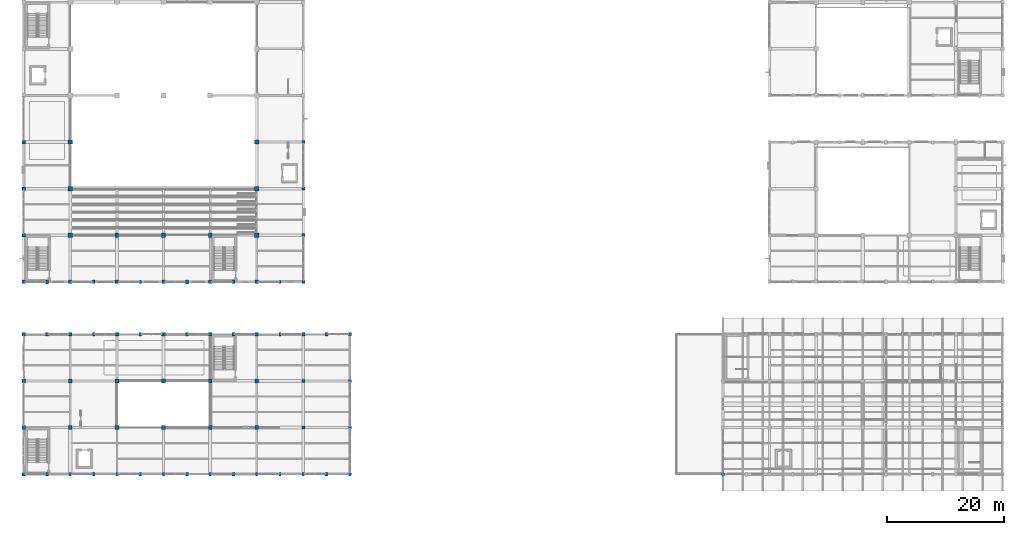
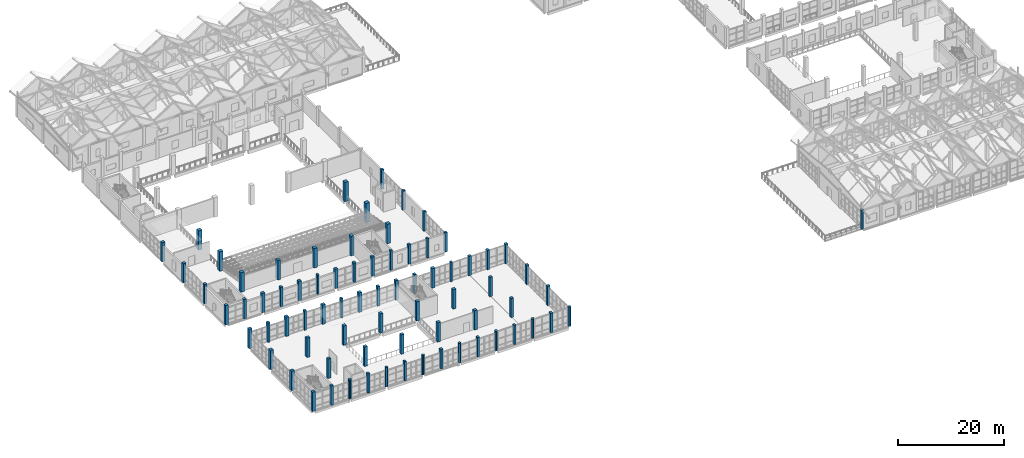
# One storey, part 1 of 183: 75 columns.
"""IFC4 building model written with IfcOpenShell, lengths in metres."""

import ifcopenshell
import ifcopenshell.guid

model = None  # the IFC model being written
_history = None  # IfcOwnerHistory: only IFC2X3 demands one
_inside = {}  # id of a spatial element -> (the spatial element, [elements in it])
_under = {}  # id of a project, library or spatial element -> (it, [spatial elements below it])
_declared = {}  # id of a project -> (the project, [libraries it declares])
_typed = {}  # id of a type object -> (the type object, [elements of that type])
_made_of = {}  # id of a material, layer set ... -> (it, [elements and type objects made of it])


def new_model(schema):
    """Start an empty IFC model of exactly this schema.

    Asked for "IFC4X3", IfcOpenShell would pick the latest addendum, in which some entities
    have other attributes; the version numbers below select the first issue.
    IFC2X3 requires an IfcOwnerHistory on every rooted entity: one is made here for all.
    """
    global model, _history
    if schema == "IFC4X3":
        model = ifcopenshell.file(schema_version=(4, 3, 0, 0))
    else:
        model = ifcopenshell.file(schema=schema)
    _inside.clear()
    _under.clear()
    _declared.clear()
    _typed.clear()
    _made_of.clear()
    _history = None
    if model.schema == "IFC2X3":
        org = make("IfcOrganization", Name="unknown")
        user = make(
            "IfcPersonAndOrganization",
            ThePerson=make("IfcPerson", FamilyName="unknown"),
            TheOrganization=org,
        )
        app = make(
            "IfcApplication",
            ApplicationDeveloper=org,
            Version="unknown",
            ApplicationFullName="unknown",
            ApplicationIdentifier="unknown",
        )
        _history = make(
            "IfcOwnerHistory",
            OwningUser=user,
            OwningApplication=app,
            ChangeAction="ADDED",
            CreationDate=0,
        )
    return model


def make(cls, **values):
    """One entity of the class cls with the attributes given. An attribute that is None is left unset."""
    return model.create_entity(
        cls, **{name: value for name, value in values.items() if value is not None}
    )


def rooted(cls, **values):
    """An entity with a GlobalId (a new one), such as an element, a storey or a relation."""
    return make(cls, GlobalId=ifcopenshell.guid.new(), OwnerHistory=_history, **values)


def si_unit(unit_type, name, prefix=None):
    """IfcSIUnit, for example si_unit("LENGTHUNIT", "METRE", prefix="MILLI")."""
    return make("IfcSIUnit", UnitType=unit_type, Prefix=prefix, Name=name)


def assignment(units):
    """IfcUnitAssignment: the units of a project."""
    return None if units is None else make("IfcUnitAssignment", Units=units)


def point(xyz):
    """IfcCartesianPoint."""
    return None if xyz is None else make("IfcCartesianPoint", Coordinates=xyz)


def direction(xyz):
    """IfcDirection."""
    return None if xyz is None else make("IfcDirection", DirectionRatios=xyz)


def frame(location, z_axis=None, x_axis=None):
    """IfcAxis2Placement3D, a coordinate frame: its origin and axes. An axis left out is left unset."""
    return make(
        "IfcAxis2Placement3D",
        Location=point(location),
        Axis=direction(z_axis),
        RefDirection=direction(x_axis),
    )


def frame_2d(location, x_axis=None):
    """IfcAxis2Placement2D, a coordinate frame in the plane: its origin and x axis."""
    return make(
        "IfcAxis2Placement2D", Location=point(location), RefDirection=direction(x_axis)
    )


def origin():
    """The frame at (0, 0, 0) with its axes left unset."""
    return frame((0.0, 0.0, 0.0))


def origin_2d():
    """The frame at (0, 0) in the plane with its x axis left unset."""
    return frame_2d((0.0, 0.0))


def place(relative_to, where):
    """IfcLocalPlacement: puts the frame where relative to a parent placement (None: the world)."""
    return make(
        "IfcLocalPlacement", PlacementRelTo=relative_to, RelativePlacement=where
    )


def context(
    kind, dimensions, precision=None, world=None, true_north=None, identifier=None
):
    """IfcGeometricRepresentationContext, for example the 3D "Model" context."""
    return make(
        "IfcGeometricRepresentationContext",
        ContextIdentifier=identifier,
        ContextType=kind,
        CoordinateSpaceDimension=dimensions,
        Precision=precision,
        WorldCoordinateSystem=world,
        TrueNorth=true_north,
    )


def subcontext(parent, identifier, kind, view, scale=None):
    """IfcGeometricRepresentationSubContext, for example "Body" below "Model"."""
    return make(
        "IfcGeometricRepresentationSubContext",
        ContextIdentifier=identifier,
        ContextType=kind,
        ParentContext=parent,
        TargetScale=scale,
        TargetView=view,
    )


def project(units=None, contexts=None):
    """IfcProject with its units and contexts."""
    return rooted(
        "IfcProject",
        Name="project",
        RepresentationContexts=contexts,
        UnitsInContext=assignment(units),
    )


def spatial(cls, under=None, at=None, **own):
    """A site, building, storey or space (cls), placed at a placement, below another one or the project."""
    s = rooted(cls, ObjectPlacement=at, **own)
    if under is not None:
        _under.setdefault(under.id(), (under, []))[1].append(s)
    return s


def profile(cls, at=None, kind="AREA", **sizes):
    """A parametric profile (cls). Its sizes go by their IFC names, for example OverallWidth=200.0."""
    return make(cls, ProfileType=kind, Position=at, **sizes)


def rectangle(**sizes):
    """IfcRectangleProfileDef."""
    return profile("IfcRectangleProfileDef", **sizes)


def circle(**sizes):
    """IfcCircleProfileDef."""
    return profile("IfcCircleProfileDef", **sizes)


def extrude(swept, where, along, depth):
    """IfcExtrudedAreaSolid: the profile swept, set in the frame where, extruded along a direction by depth."""
    return make(
        "IfcExtrudedAreaSolid",
        SweptArea=swept,
        Position=where,
        ExtrudedDirection=direction(along),
        Depth=depth,
    )


def shape(context_of_items, identifier, shape_type, items):
    """IfcShapeRepresentation: the items that make up one representation, for example the "Body"."""
    return make(
        "IfcShapeRepresentation",
        ContextOfItems=context_of_items,
        RepresentationIdentifier=identifier,
        RepresentationType=shape_type,
        Items=items,
    )


def material(Name=None, Category=None):
    """IfcMaterial."""
    return make("IfcMaterial", Name=Name, Category=Category)


def material_profile(
    of_material, cross_section, Name=None, Category=None, Priority=None
):
    """IfcMaterialProfile: a cross section and its material."""
    return make(
        "IfcMaterialProfile",
        Name=Name,
        Material=of_material,
        Profile=cross_section,
        Priority=Priority,
        Category=Category,
    )


def profile_set(profiles, Name=None, composite=None):
    """IfcMaterialProfileSet."""
    return make(
        "IfcMaterialProfileSet",
        Name=Name,
        MaterialProfiles=profiles,
        CompositeProfile=composite,
    )


def made_of(thing, what):
    """Note that an element or type object is made of a material, layer set ...; save() writes the relation."""
    if what is not None:
        _made_of.setdefault(what.id(), (what, []))[1].append(thing)
    return thing


def type_object(cls, material=None, **own):
    """A type object (cls), such as IfcWallType, which elements share."""
    return made_of(rooted(cls, **own), material)


def element(
    cls,
    number,
    at=None,
    inside=None,
    cuts=None,
    type_object=None,
    material=None,
    context=None,
    identifier="Body",
    shape_type=None,
    held_by="IfcProductDefinitionShape",
    body=None,
    shapes=None,
    **own,
):
    """One element of the class cls, such as IfcWall. Its Tag is "e" and its number.

    at: its placement. inside: the storey or other place that contains it. cuts: it is an
    opening in that element (IfcRelVoidsElement). A single representation is given by context,
    identifier, shape_type and body (its items); several are given by shapes. held_by: the class
    of the entity that holds the representations. save() writes the other relations.
    """
    e = rooted(cls, Tag="e%d" % number, ObjectPlacement=at, **own)
    if body is not None:
        shapes = [shape(context, identifier, shape_type, body)]
    if shapes is not None:
        e.Representation = make(held_by, Representations=shapes)
    if inside is not None:
        _inside.setdefault(inside.id(), (inside, []))[1].append(e)
    if cuts is not None:
        rooted(
            "IfcRelVoidsElement", RelatingBuildingElement=cuts, RelatedOpeningElement=e
        )
    if type_object is not None:
        _typed.setdefault(type_object.id(), (type_object, []))[1].append(e)
    return made_of(e, material)


def aggregate(whole, parts):
    """IfcRelAggregates: a whole, such as a stair, and the parts it consists of."""
    return rooted("IfcRelAggregates", RelatingObject=whole, RelatedObjects=parts)


def save(model, path):
    """Write the relations noted so far, then the file.

    IfcRelAggregates (storeys below a building ...), IfcRelContainedInSpatialStructure (elements
    in a storey), IfcRelDefinesByType, IfcRelAssociatesMaterial and IfcRelDeclares: one each for
    every whole, place, type object, material and project.
    """
    for whole, parts in _under.values():
        aggregate(whole, parts)
    for where, things in _inside.values():
        rooted(
            "IfcRelContainedInSpatialStructure",
            RelatedElements=things,
            RelatingStructure=where,
        )
    for kind, things in _typed.values():
        rooted("IfcRelDefinesByType", RelatedObjects=things, RelatingType=kind)
    for what, things in _made_of.values():
        rooted("IfcRelAssociatesMaterial", RelatedObjects=things, RelatingMaterial=what)
    for by, libraries in _declared.values():
        rooted("IfcRelDeclares", RelatingContext=by, RelatedDefinitions=libraries)
    model.write(path)


model = new_model("IFC4")

# Units and contexts
model_context = context("Model", 3, precision=1e-05, world=origin(), true_north=direction((0.0, 1.0)))
body_context = subcontext(model_context, "Body", "Model", "MODEL_VIEW")
ifc_project = project(units=[si_unit("LENGTHUNIT", "METRE"), si_unit("AREAUNIT", "SQUARE_METRE"), si_unit("VOLUMEUNIT", "CUBIC_METRE"), si_unit("PLANEANGLEUNIT", "RADIAN"), si_unit("MASSUNIT", "GRAM", prefix="KILO")], contexts=[model_context])

# Site, building, storey
site_placement = place(None, origin())
site = spatial("IfcSite", under=ifc_project, at=site_placement, CompositionType="ELEMENT")
building_placement = place(site_placement, origin())
building = spatial("IfcBuilding", under=site, at=building_placement, Name="Luwemba Playhouse", CompositionType="ELEMENT")
storey_placement = place(building_placement, frame((0.0, 0.0, 4.800048828125)))
storey = spatial("IfcBuildingStorey", under=building, at=storey_placement, Name="L01", CompositionType="ELEMENT", Elevation=4.800048828125)

# Columns
ifc_material = material(Name="Concrete C40/50", Category="concrete")
ifc_material_profile_1 = material_profile(ifc_material, rectangle(XDim=0.550048828125, YDim=0.550048828125, at=origin_2d()))
ifc_profile_set_1 = profile_set([ifc_material_profile_1], Name="Concrete C40/50")
column_type_1 = type_object("IfcColumnType", Name="COL-C03", PredefinedType="COLUMN", material=ifc_profile_set_1)
for number, where, z_axis, x_axis, name in (
    (1, (52.0, 11.0, 0.0), (0.0, 0.0, 1.0), (1.0, 0.0, 0.0), "L01 column 113"),
    (2, (52.0, 19.0, 0.0), (0.0, 0.0, 1.0), (1.0, 0.0, 0.0), "L01 column 114"),
    (3, (52.0, 27.0, 0.0), (0.0, 0.0, 1.0), (1.0, 0.0, 0.0), "L01 column 115"),
    (4, (52.0, 36.0, 0.0), (0.0, 0.0, 1.0), (1.0, 0.0, 0.0), "L01 column 116"),
    (5, (52.0, 44.0, 0.0), (0.0, 0.0, 1.0), (1.0, 0.0, 0.0), "L01 column 117"),
    (6, (52.0, 52.0, 0.0), (0.0, 0.0, 1.0), (1.0, 0.0, 0.0), "L01 column 118"),
    (7, (52.0, 60.0, 0.0), (0.0, 0.0, 1.0), (1.0, 0.0, 0.0), "L01 column 119"),
    (8, (60.0, 11.0, 0.0), (0.0, 0.0, 1.0), (1.0, 0.0, 0.0), "L01 column 131"),
    (9, (60.0, 19.0, 0.0), (0.0, 0.0, 1.0), (1.0, 0.0, 0.0), "L01 column 132"),
    (10, (60.0, 27.0, 0.0), (0.0, 0.0, 1.0), (1.0, 0.0, 0.0), "L01 column 133"),
):
    element("IfcColumn", number, at=place(storey_placement, frame(where, z_axis=z_axis, x_axis=x_axis)), inside=storey, type_object=column_type_1, Name=name, PredefinedType="COLUMN", context=body_context, shape_type="SweptSolid", body=[
        extrude(rectangle(XDim=0.550048828125, YDim=0.550048828125, at=origin_2d()), origin(), (0.0, 0.0, 1.0), 4.5),
    ])
ifc_material_profile_2 = material_profile(ifc_material, rectangle(XDim=0.60009765625, YDim=0.60009765625, at=origin_2d()))
ifc_profile_set_2 = profile_set([ifc_material_profile_2], Name="Concrete C40/50")
column_type_2 = type_object("IfcColumnType", Name="COL-C04", PredefinedType="COLUMN", material=ifc_profile_set_2)
for number, where, z_axis, x_axis, name in (
    (11, (4.0, 36.0, 0.0), (0.0, 0.0, 1.0), (1.0, 0.0, 0.0), "L01 column 005"),
    (12, (4.0, 44.0, 0.0), (0.0, 0.0, 1.0), (1.0, 0.0, 0.0), "L01 column 006"),
    (13, (4.0, 52.0, 0.0), (0.0, 0.0, 1.0), (1.0, 0.0, 0.0), "L01 column 007"),
    (14, (4.0, 60.0, 0.0), (0.0, 0.0, 1.0), (1.0, 0.0, 0.0), "L01 column 008"),
    (15, (12.0, 36.0, 0.0), (0.0, 0.0, 1.0), (1.0, 0.0, 0.0), "L01 column 026"),
    (16, (20.0, 36.0, 0.0), (0.0, 0.0, 1.0), (1.0, 0.0, 0.0), "L01 column 045"),
    (17, (28.0, 36.0, 0.0), (0.0, 0.0, 1.0), (1.0, 0.0, 0.0), "L01 column 061"),
    (18, (36.0, 36.0, 0.0), (0.0, 0.0, 1.0), (1.0, 0.0, 0.0), "L01 column 079"),
    (19, (44.0, 36.0, 0.0), (0.0, 0.0, 1.0), (1.0, 0.0, 0.0), "L01 column 096"),
):
    element("IfcColumn", number, at=place(storey_placement, frame(where, z_axis=z_axis, x_axis=x_axis)), inside=storey, type_object=column_type_2, Name=name, PredefinedType="COLUMN", context=body_context, shape_type="SweptSolid", body=[
        extrude(rectangle(XDim=0.60009765625, YDim=0.60009765625, at=origin_2d()), origin(), (0.0, 0.0, 1.0), 4.5),
    ])
ifc_material_profile_3 = material_profile(ifc_material, rectangle(XDim=0.64990234375, YDim=0.64990234375, at=origin_2d()))
ifc_profile_set_3 = profile_set([ifc_material_profile_3], Name="Concrete C40/50")
column_type_3 = type_object("IfcColumnType", Name="COL-C05", PredefinedType="COLUMN", material=ifc_profile_set_3)
for number, where, z_axis, x_axis, name in (
    (20, (4.0, 3.0, 0.0), (0.0, 0.0, 1.0), (1.0, 0.0, 0.0), "L01 column 001"),
    (21, (4.0, 11.0, 0.0), (0.0, 0.0, 1.0), (1.0, 0.0, 0.0), "L01 column 002"),
    (22, (4.0, 19.0, 0.0), (0.0, 0.0, 1.0), (1.0, 0.0, 0.0), "L01 column 003"),
    (23, (4.0, 27.0, 0.0), (0.0, 0.0, 1.0), (1.0, 0.0, 0.0), "L01 column 004"),
    (24, (12.0, 11.0, 0.0), (0.0, 0.0, 1.0), (1.0, 0.0, 0.0), "L01 column 023"),
    (25, (12.0, 19.0, 0.0), (0.0, 0.0, 1.0), (1.0, 0.0, 0.0), "L01 column 024"),
    (26, (12.0, 27.0, 0.0), (0.0, 0.0, 1.0), (1.0, 0.0, 0.0), "L01 column 025"),
    (27, (20.0, 11.0, 0.0), (0.0, 0.0, 1.0), (1.0, 0.0, 0.0), "L01 column 042"),
    (28, (20.0, 19.0, 0.0), (0.0, 0.0, 1.0), (1.0, 0.0, 0.0), "L01 column 043"),
    (29, (20.0, 27.0, 0.0), (0.0, 0.0, 1.0), (1.0, 0.0, 0.0), "L01 column 044"),
    (30, (28.0, 11.0, 0.0), (0.0, 0.0, 1.0), (1.0, 0.0, 0.0), "L01 column 058"),
    (31, (28.0, 19.0, 0.0), (0.0, 0.0, 1.0), (1.0, 0.0, 0.0), "L01 column 059"),
    (32, (28.0, 27.0, 0.0), (0.0, 0.0, 1.0), (1.0, 0.0, 0.0), "L01 column 060"),
    (33, (36.0, 11.0, 0.0), (0.0, 0.0, 1.0), (1.0, 0.0, 0.0), "L01 column 076"),
    (34, (36.0, 19.0, 0.0), (0.0, 0.0, 1.0), (1.0, 0.0, 0.0), "L01 column 077"),
    (35, (36.0, 27.0, 0.0), (0.0, 0.0, 1.0), (1.0, 0.0, 0.0), "L01 column 078"),
    (36, (44.0, 11.0, 0.0), (0.0, 0.0, 1.0), (1.0, 0.0, 0.0), "L01 column 093"),
    (37, (44.0, 19.0, 0.0), (0.0, 0.0, 1.0), (1.0, 0.0, 0.0), "L01 column 094"),
    (38, (44.0, 27.0, 0.0), (0.0, 0.0, 1.0), (1.0, 0.0, 0.0), "L01 column 095"),
):
    element("IfcColumn", number, at=place(storey_placement, frame(where, z_axis=z_axis, x_axis=x_axis)), inside=storey, type_object=column_type_3, Name=name, PredefinedType="COLUMN", context=body_context, shape_type="SweptSolid", body=[
        extrude(rectangle(XDim=0.64990234375, YDim=0.64990234375, at=origin_2d()), origin(), (0.0, 0.0, 1.0), 4.5),
    ])
ifc_material_profile_4 = material_profile(ifc_material, rectangle(XDim=0.75, YDim=0.75, at=origin_2d()))
ifc_profile_set_4 = profile_set([ifc_material_profile_4], Name="Concrete C40/50")
column_type_4 = type_object("IfcColumnType", Name="COL-C07", PredefinedType="COLUMN", material=ifc_profile_set_4)
for number, where, z_axis, x_axis, name in (
    (39, (12.0, 44.0, 0.0), (0.0, 0.0, 1.0), (1.0, 0.0, 0.0), "L01 column 027"),
    (40, (12.0, 52.0, 0.0), (0.0, 0.0, 1.0), (1.0, 0.0, 0.0), "L01 column 028"),
    (41, (12.0, 60.0, 0.0), (0.0, 0.0, 1.0), (1.0, 0.0, 0.0), "L01 column 029"),
    (42, (28.0, 44.0, 0.0), (0.0, 0.0, 1.0), (1.0, 0.0, 0.0), "L01 column 062"),
    (43, (44.0, 44.0, 0.0), (0.0, 0.0, 1.0), (1.0, 0.0, 0.0), "L01 column 097"),
    (44, (44.0, 52.0, 0.0), (0.0, 0.0, 1.0), (1.0, 0.0, 0.0), "L01 column 098"),
    (45, (44.0, 60.0, 0.0), (0.0, 0.0, 1.0), (1.0, 0.0, 0.0), "L01 column 099"),
):
    element("IfcColumn", number, at=place(storey_placement, frame(where, z_axis=z_axis, x_axis=x_axis)), inside=storey, type_object=column_type_4, Name=name, PredefinedType="COLUMN", context=body_context, shape_type="SweptSolid", body=[
        extrude(rectangle(XDim=0.75, YDim=0.75, at=origin_2d()), origin(), (0.0, 0.0, 1.0), 4.5),
    ])
ifc_material_profile_5 = material_profile(ifc_material, rectangle(XDim=0.60009765625, YDim=0.800048828125, at=origin_2d()))
ifc_profile_set_5 = profile_set([ifc_material_profile_5], Name="Concrete C40/50")
column_type_5 = type_object("IfcColumnType", Name="COL-C12", PredefinedType="COLUMN", material=ifc_profile_set_5)
for number, where, z_axis, x_axis, name in (
    (46, (20.0, 44.0, 0.0), (0.0, 0.0, 1.0), (1.0, 0.0, 0.0), "L01 column 046"),
    (47, (36.0, 44.0, 0.0), (0.0, 0.0, 1.0), (1.0, 0.0, 0.0), "L01 column 080"),
):
    element("IfcColumn", number, at=place(storey_placement, frame(where, z_axis=z_axis, x_axis=x_axis)), inside=storey, type_object=column_type_5, Name=name, PredefinedType="COLUMN", context=body_context, shape_type="SweptSolid", body=[
        extrude(rectangle(XDim=0.60009765625, YDim=0.800048828125, at=origin_2d()), origin(), (0.0, 0.0, 1.0), 4.5),
    ])
ifc_material_profile_6 = material_profile(ifc_material, circle(Radius=0.300048828125, at=origin_2d()))
ifc_profile_set_6 = profile_set([ifc_material_profile_6], Name="Concrete C40/50")
column_type_6 = type_object("IfcColumnType", Name="COL-C14", PredefinedType="COLUMN", material=ifc_profile_set_6)
for number, where, z_axis, x_axis, name in (
    (48, (12.0, 3.0, 0.0), (0.0, 0.0, 1.0), (1.0, 0.0, 0.0), "L01 column 022"),
    (49, (20.0, 3.0, 0.0), (0.0, 0.0, 1.0), (1.0, 0.0, 0.0), "L01 column 041"),
    (50, (28.0, 3.0, 0.0), (0.0, 0.0, 1.0), (1.0, 0.0, 0.0), "L01 column 057"),
    (51, (36.0, 3.0, 0.0), (0.0, 0.0, 1.0), (1.0, 0.0, 0.0), "L01 column 075"),
    (52, (44.0, 3.0, 0.0), (0.0, 0.0, 1.0), (1.0, 0.0, 0.0), "L01 column 092"),
    (53, (52.0, 3.0, 0.0), (0.0, 0.0, 1.0), (1.0, 0.0, 0.0), "L01 column 112"),
    (54, (60.0, 3.0, 0.0), (0.0, 0.0, 1.0), (1.0, 0.0, 0.0), "L01 column 130"),
    (55, (124.0, 3.0, 0.0), (0.0, 0.0, 1.0), (1.0, 0.0, 0.0), "L01 column 161"),
):
    element("IfcColumn", number, at=place(storey_placement, frame(where, z_axis=z_axis, x_axis=x_axis)), inside=storey, type_object=column_type_6, Name=name, PredefinedType="COLUMN", context=body_context, shape_type="SweptSolid", body=[
        extrude(circle(Radius=0.300048828125, at=origin_2d()), origin(), (0.0, 0.0, 1.0), 4.5),
    ])
ifc_material_profile_7 = material_profile(ifc_material, rectangle(XDim=0.39990234375, YDim=0.550048828125, at=origin_2d()))
ifc_profile_set_7 = profile_set([ifc_material_profile_7], Name="Concrete C40/50")
column_type_7 = type_object("IfcColumnType", Name="COL-PIL1", PredefinedType="PILASTER", material=ifc_profile_set_7)
for number, where, z_axis, x_axis, name in (
    (56, (24.0, 3.0, 0.0), (0.0, 0.0, 1.0), (1.0, 0.0, 0.0), "L01 column 053"),
    (57, (24.0, 27.0, 0.0), (0.0, 0.0, 1.0), (1.0, 0.0, 0.0), "L01 column 054"),
    (58, (24.0, 36.0, 0.0), (0.0, 0.0, 1.0), (1.0, 0.0, 0.0), "L01 column 055"),
    (59, (48.0, 3.0, 0.0), (0.0, 0.0, 1.0), (1.0, 0.0, 0.0), "L01 column 107"),
    (60, (48.0, 27.0, 0.0), (0.0, 0.0, 1.0), (1.0, 0.0, 0.0), "L01 column 108"),
    (61, (48.0, 36.0, 0.0), (0.0, 0.0, 1.0), (1.0, 0.0, 0.0), "L01 column 109"),
):
    element("IfcColumn", number, at=place(storey_placement, frame(where, z_axis=z_axis, x_axis=x_axis)), inside=storey, type_object=column_type_7, Name=name, PredefinedType="PILASTER", context=body_context, shape_type="SweptSolid", body=[
        extrude(rectangle(XDim=0.39990234375, YDim=0.550048828125, at=origin_2d()), origin(), (0.0, 0.0, 1.0), 4.5),
    ])
ifc_material_profile_8 = material_profile(ifc_material, rectangle(XDim=0.449951171875, YDim=0.60009765625, at=origin_2d()))
ifc_profile_set_8 = profile_set([ifc_material_profile_8], Name="Concrete C40/50")
column_type_8 = type_object("IfcColumnType", Name="COL-PIL2", PredefinedType="PILASTER", material=ifc_profile_set_8)
for number, where, z_axis, x_axis, name in (
    (62, (16.0, 3.0, 0.0), (0.0, 0.0, 1.0), (1.0, 0.0, 0.0), "L01 column 037"),
    (63, (16.0, 27.0, 0.0), (0.0, 0.0, 1.0), (1.0, 0.0, 0.0), "L01 column 038"),
    (64, (16.0, 36.0, 0.0), (0.0, 0.0, 1.0), (1.0, 0.0, 0.0), "L01 column 039"),
    (65, (40.0, 3.0, 0.0), (0.0, 0.0, 1.0), (1.0, 0.0, 0.0), "L01 column 087"),
    (66, (40.0, 27.0, 0.0), (0.0, 0.0, 1.0), (1.0, 0.0, 0.0), "L01 column 088"),
    (67, (40.0, 36.0, 0.0), (0.0, 0.0, 1.0), (1.0, 0.0, 0.0), "L01 column 089"),
):
    element("IfcColumn", number, at=place(storey_placement, frame(where, z_axis=z_axis, x_axis=x_axis)), inside=storey, type_object=column_type_8, Name=name, PredefinedType="PILASTER", context=body_context, shape_type="SweptSolid", body=[
        extrude(rectangle(XDim=0.449951171875, YDim=0.60009765625, at=origin_2d()), origin(), (0.0, 0.0, 1.0), 4.5),
    ])
ifc_material_profile_9 = material_profile(ifc_material, rectangle(XDim=0.5, YDim=0.64990234375, at=origin_2d()))
ifc_profile_set_9 = profile_set([ifc_material_profile_9], Name="Concrete C40/50")
column_type_9 = type_object("IfcColumnType", Name="COL-PIL3", PredefinedType="PILASTER", material=ifc_profile_set_9)
for number, where, z_axis, x_axis, name in (
    (68, (8.0, 3.0, 0.0), (0.0, 0.0, 1.0), (1.0, 0.0, 0.0), "L01 column 016"),
    (69, (8.0, 27.0, 0.0), (0.0, 0.0, 1.0), (1.0, 0.0, 0.0), "L01 column 017"),
    (70, (8.0, 36.0, 0.0), (0.0, 0.0, 1.0), (1.0, 0.0, 0.0), "L01 column 018"),
    (71, (32.0, 3.0, 0.0), (0.0, 0.0, 1.0), (1.0, 0.0, 0.0), "L01 column 069"),
    (72, (32.0, 27.0, 0.0), (0.0, 0.0, 1.0), (1.0, 0.0, 0.0), "L01 column 070"),
    (73, (32.0, 36.0, 0.0), (0.0, 0.0, 1.0), (1.0, 0.0, 0.0), "L01 column 071"),
    (74, (56.0, 3.0, 0.0), (0.0, 0.0, 1.0), (1.0, 0.0, 0.0), "L01 column 127"),
    (75, (56.0, 27.0, 0.0), (0.0, 0.0, 1.0), (1.0, 0.0, 0.0), "L01 column 128"),
):
    element("IfcColumn", number, at=place(storey_placement, frame(where, z_axis=z_axis, x_axis=x_axis)), inside=storey, type_object=column_type_9, Name=name, PredefinedType="PILASTER", context=body_context, shape_type="SweptSolid", body=[
        extrude(rectangle(XDim=0.5, YDim=0.64990234375, at=origin_2d()), origin(), (0.0, 0.0, 1.0), 4.5),
    ])

save(model, "model.ifc")
